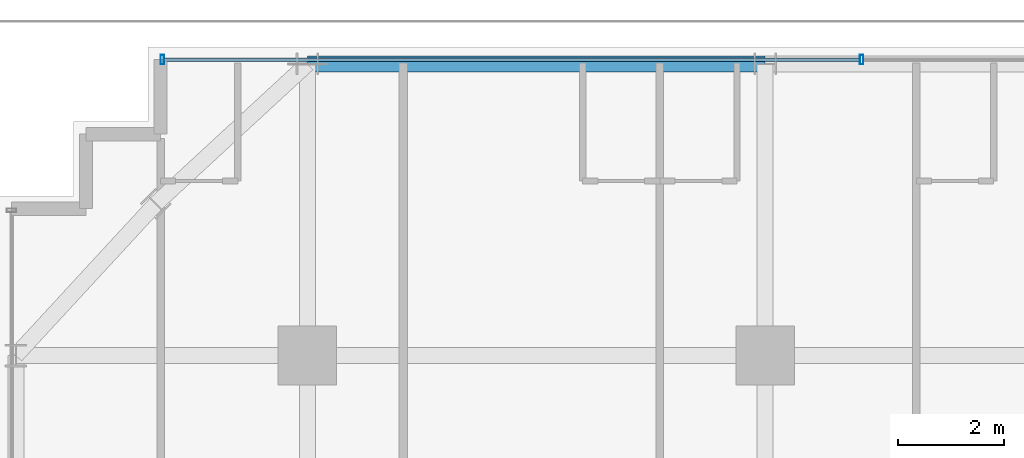
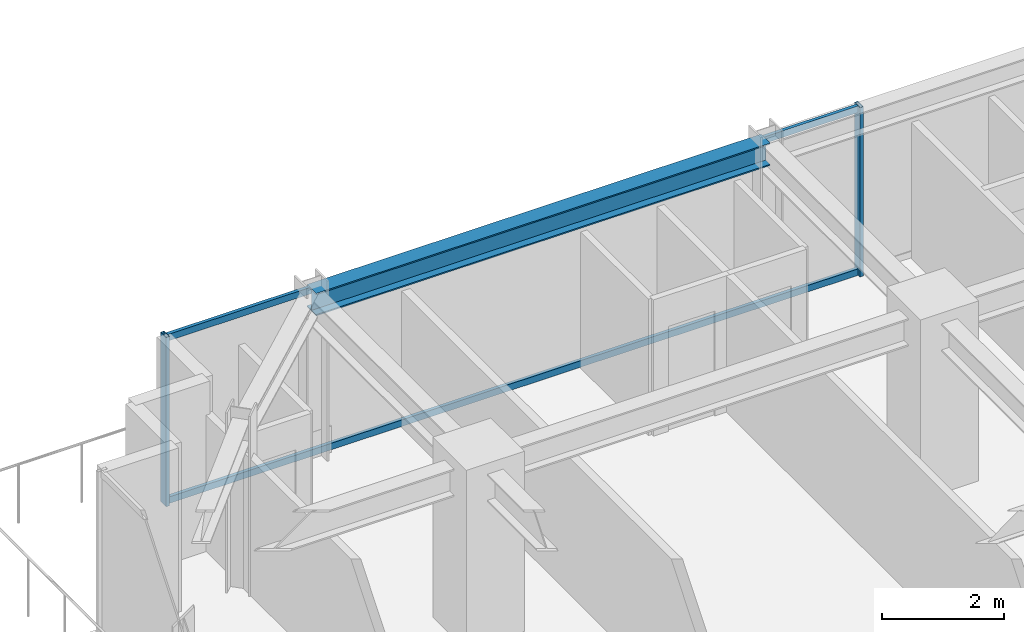
# One storey, part 17 of 33: 4 members, 1 beam, 1 element without a shape of its own.
"""IFC4 building model written with IfcOpenShell, lengths in metres."""

from ifc_helpers import new_model, si_unit, direction, frame, origin, origin_2d, place, context, subcontext, project, spatial, hollow_rectangle, i_section, extrude, source, transform, mapped, material, material_profile, profile_set, type_object, element, aggregate, save


model = new_model("IFC4")

# Units and contexts
model_context = context("Model", 3, precision=1e-05, world=origin(), true_north=direction((0.0, 1.0)))
body_context = subcontext(model_context, "Body", "Model", "MODEL_VIEW")
ifc_project = project(units=[si_unit("LENGTHUNIT", "METRE"), si_unit("AREAUNIT", "SQUARE_METRE"), si_unit("VOLUMEUNIT", "CUBIC_METRE"), si_unit("PLANEANGLEUNIT", "RADIAN"), si_unit("MASSUNIT", "GRAM", prefix="KILO")], contexts=[model_context])

# Site, building, storey
site_placement = place(None, origin())
site = spatial("IfcSite", under=ifc_project, at=site_placement, CompositionType="ELEMENT")
building_placement = place(site_placement, origin())
building = spatial("IfcBuilding", under=site, at=building_placement, Name="Nahalor Promenade Grand Hotel", CompositionType="ELEMENT")
storey_placement = place(building_placement, frame((0.0, 0.0, 149.0)))
storey = spatial("IfcBuildingStorey", under=building, at=storey_placement, Name="L37", CompositionType="ELEMENT", Elevation=149.0)

# Beam
ifc_material_1 = material(Name="Steel S355JR", Category="steel")
ifc_material_profile_1 = material_profile(ifc_material_1, i_section(OverallWidth=0.3, OverallDepth=0.45, WebThickness=0.014, FlangeThickness=0.026, at=origin_2d()), Name="HEB 450")
ifc_profile_set_1 = profile_set([ifc_material_profile_1], Name="Steel S355JR")
beam_type = type_object("IfcBeamType", Name="Beam-Spandrel-HEB450", PredefinedType="SPANDREL", material=ifc_profile_set_1)
shared_shape_1 = source(origin(), body_context, "Body", "SweptSolid", [
    extrude(i_section(OverallWidth=0.3, OverallDepth=0.45, WebThickness=0.014, FlangeThickness=0.026, at=origin_2d()), origin(), (0.0, 0.0, 1.0), 8.60009765625),
])
beam_placement = place(storey_placement, frame((-17.0, 22.47998046875, 3.1650390625), z_axis=(1.0, 0.0, 0.0), x_axis=(0.0, 1.0, 0.0)))
element("IfcBeam", 1, at=beam_placement, inside=storey, type_object=beam_type, Name="BM-L37-SP-N-0", PredefinedType="SPANDREL", context=body_context, shape_type="MappedRepresentation", body=[
    mapped(shared_shape_1, transform((0.0, 0.0, 0.0), scale=1.0)),
])

# Curtain wall, members
ifc_material_2 = material(Name="Anodised Bronze Aluminium EN AW-6063 T6", Category="aluminium")
curtain_wall_type = type_object("IfcCurtainWallType", Name="CW2 Typical Hotel Flush Bronze Unitised Curtain Wall", PredefinedType="USERDEFINED", material=ifc_material_2)
curtain_wall_placement = place(storey_placement, origin())
curtain_wall = element("IfcCurtainWall", 2, at=curtain_wall_placement, inside=storey, type_object=curtain_wall_type, Name="L37 Curtain Wall CW-L37-N-1", ObjectType="UNITISED_CURTAIN_WALL", PredefinedType="USERDEFINED")
ifc_material_profile_2 = material_profile(ifc_material_2, hollow_rectangle(XDim=0.065, YDim=0.18, WallThickness=0.004, at=origin_2d()), Name="CWM 65x180x4")
ifc_profile_set_2 = profile_set([ifc_material_profile_2], Name="Anodised Bronze Aluminium EN AW-6063 T6")
member_type_1 = type_object("IfcMemberType", Name="CWM2 Typical Bronze Mullion 65x180", PredefinedType="MULLION", material=ifc_profile_set_2)
shared_shape_2 = source(origin(), body_context, "Body", "SweptSolid", [
    extrude(hollow_rectangle(XDim=0.065, YDim=0.18, WallThickness=0.004, at=origin_2d()), origin(), (0.0, 0.0, 1.0), 3.389892578125),
])
member_1_placement = place(storey_placement, frame((-19.7275390625, 22.56005859375, 0.0), z_axis=(0.0, 0.0, 1.0), x_axis=(1.0, 0.0, 0.0)))
member_1 = element("IfcMember", 3, at=member_1_placement, type_object=member_type_1, Name="CW-L37-N-1 Mullion 0", PredefinedType="MULLION", context=body_context, shape_type="MappedRepresentation", body=[
    mapped(shared_shape_2, transform((0.0, 0.0, 0.0), scale=1.0)),
])
member_2_placement = place(storey_placement, frame((-6.586669921875, 22.56005859375, 0.0), z_axis=(0.0, 0.0, 1.0), x_axis=(1.0, 0.0, 0.0)))
member_2 = element("IfcMember", 4, at=member_2_placement, type_object=member_type_1, Name="CW-L37-N-1 Mullion 1", PredefinedType="MULLION", context=body_context, shape_type="MappedRepresentation", body=[
    mapped(shared_shape_2, transform((0.0, 0.0, 0.0), scale=1.0)),
])
ifc_material_profile_3 = material_profile(ifc_material_2, hollow_rectangle(XDim=0.065, YDim=0.13, WallThickness=0.004, at=origin_2d()), Name="CWT 65x130x4")
ifc_profile_set_3 = profile_set([ifc_material_profile_3], Name="Anodised Bronze Aluminium EN AW-6063 T6")
member_type_2 = type_object("IfcMemberType", Name="CWT2 Typical Bronze Transom 65x130", PredefinedType="USERDEFINED", material=ifc_profile_set_3)
shared_shape_3 = source(origin(), body_context, "Body", "SweptSolid", [
    extrude(hollow_rectangle(XDim=0.065, YDim=0.13, WallThickness=0.004, at=origin_2d()), origin(), (0.0, 0.0, 1.0), 13.075927734375),
])
member_3_placement = place(storey_placement, frame((-19.695068359375, 22.56005859375, 0.06494140625), z_axis=(1.0, 0.0, 0.0), x_axis=(0.0, 1.0, 0.0)))
member_3 = element("IfcMember", 5, at=member_3_placement, type_object=member_type_2, Name="CW-L37-N-1 Transom 0-0", ObjectType="TRANSOM", PredefinedType="USERDEFINED", context=body_context, shape_type="MappedRepresentation", body=[
    mapped(shared_shape_3, transform((0.0, 0.0, 0.0), scale=1.0)),
])
member_4_placement = place(storey_placement, frame((-19.695068359375, 22.56005859375, 3.324951171875), z_axis=(1.0, 0.0, 0.0), x_axis=(0.0, 1.0, 0.0)))
member_4 = element("IfcMember", 6, at=member_4_placement, type_object=member_type_2, Name="CW-L37-N-1 Transom 0-1", ObjectType="TRANSOM", PredefinedType="USERDEFINED", context=body_context, shape_type="MappedRepresentation", body=[
    mapped(shared_shape_3, transform((0.0, 0.0, 0.0), scale=1.0)),
])
aggregate(curtain_wall, [member_1, member_2, member_3, member_4])

save(model, "model.ifc")
